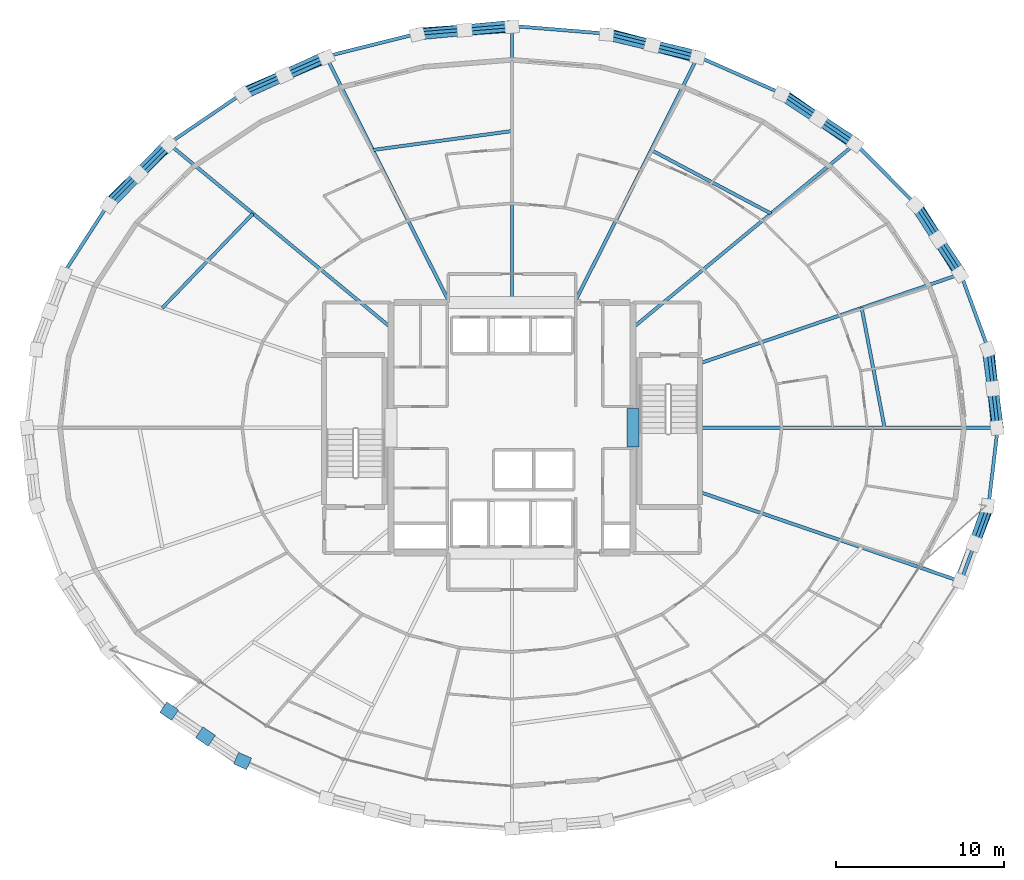
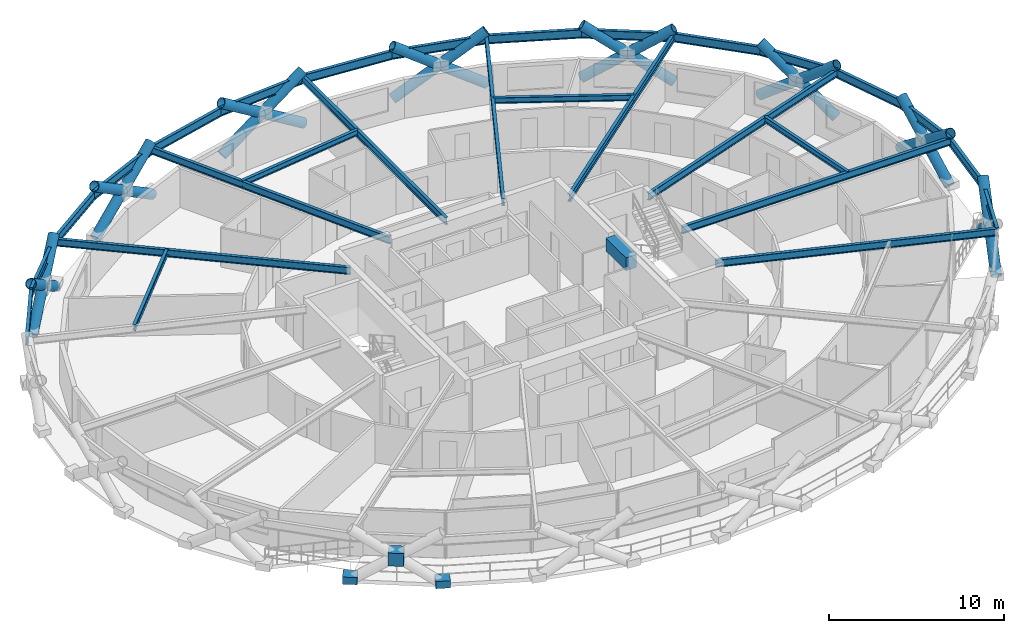
# One storey, part 13 of 21: 29 beams, 23 members, 3 plates.
"""IFC4 building model written with IfcOpenShell, lengths in metres."""

from ifc_helpers import new_model, si_unit, direction, frame, origin, origin_2d, place, context, subcontext, project, spatial, rectangle, hollow_circle, i_section, extrude, material, layer, layer_set, material_profile, profile_set, type_object, element, save


model = new_model("IFC4")

# Units and contexts
model_context = context("Model", 3, precision=1e-05, world=origin(), true_north=direction((0.0, 1.0)))
body_context = subcontext(model_context, "Body", "Model", "MODEL_VIEW")
ifc_project = project(units=[si_unit("LENGTHUNIT", "METRE"), si_unit("AREAUNIT", "SQUARE_METRE"), si_unit("VOLUMEUNIT", "CUBIC_METRE"), si_unit("PLANEANGLEUNIT", "RADIAN"), si_unit("MASSUNIT", "GRAM", prefix="KILO")], contexts=[model_context])

# Site, building, storey
site_placement = place(None, origin())
site = spatial("IfcSite", under=ifc_project, at=site_placement, CompositionType="ELEMENT")
building_placement = place(site_placement, origin())
building = spatial("IfcBuilding", under=site, at=building_placement, Name="Veldorina Hangang Commons", CompositionType="ELEMENT")
storey_placement = place(building_placement, frame((0.0, 0.0, 66.39990234375)))
storey = spatial("IfcBuildingStorey", under=building, at=storey_placement, Name="L16", CompositionType="ELEMENT", Elevation=66.39990234375)

# Beams
ifc_material_1 = material(Name="Concrete C70/85", Category="concrete")
ifc_material_profile_1 = material_profile(ifc_material_1, rectangle(XDim=0.699951171875, YDim=0.89990234375, at=origin_2d()), Name="RC-CB-700x900")
ifc_profile_set_1 = profile_set([ifc_material_profile_1], Name="Concrete C70/85")
beam_type_1 = type_object("IfcBeamType", Name="BM-CB900", PredefinedType="LINTEL", material=ifc_profile_set_1)
beam_1_placement = place(storey_placement, frame((39.199951171875, 22.85009765625, 2.89013671875), z_axis=(0.0, 1.0, 0.0), x_axis=(-1.0, 0.0, 0.0)))
element("IfcBeam", 1, at=beam_1_placement, inside=storey, type_object=beam_type_1, Name="L16 E core coupling lintel beam", PredefinedType="LINTEL", context=body_context, shape_type="SweptSolid", body=[
    extrude(rectangle(XDim=0.699951171875, YDim=0.89990234375, at=origin_2d()), origin(), (0.0, 0.0, 1.0), 2.2998046875),
])
ifc_material_2 = material(Name="Steel SM420-TMC", Category="steel")
ifc_material_profile_2 = material_profile(ifc_material_2, i_section(OverallWidth=0.199951171875, OverallDepth=0.5, WebThickness=0.010009765625, FlangeThickness=0.01611328125, FilletRadius=0.01611328125, at=origin_2d()), Name="H-500x200x10x16")
ifc_profile_set_2 = profile_set([ifc_material_profile_2], Name="Steel SM420-TMC")
beam_type_2 = type_object("IfcBeamType", Name="BM-FG500", PredefinedType="BEAM", material=ifc_profile_set_2)
beam_2_placement = place(storey_placement, frame((43.179931640625, 24.0, 3.090087890625), z_axis=(1.0, 0.0, 0.0), x_axis=(0.0, 1.0, 0.0)))
element("IfcBeam", 2, at=beam_2_placement, inside=storey, type_object=beam_type_2, Name="L16 radial floor girder 01", PredefinedType="BEAM", context=body_context, shape_type="SweptSolid", body=[
    extrude(i_section(OverallWidth=0.199951171875, OverallDepth=0.5, WebThickness=0.010009765625, FlangeThickness=0.01611328125, FilletRadius=0.01611328125, at=origin_2d()), origin(), (0.0, 0.0, 1.0), 17.725830078125),
])
beam_3_placement = place(storey_placement, frame((43.179931640625, 27.829833984375, 3.090087890625), z_axis=(0.946029500079, 0.324080522372, 0.0), x_axis=(-0.324080522372, 0.946029500079, 0.0)))
element("IfcBeam", 3, at=beam_3_placement, inside=storey, type_object=beam_type_2, Name="L16 radial floor girder 02", PredefinedType="BEAM", context=body_context, shape_type="SweptSolid", body=[
    extrude(i_section(OverallWidth=0.199951171875, OverallDepth=0.5, WebThickness=0.010009765625, FlangeThickness=0.01611328125, FilletRadius=0.01611328125, at=origin_2d()), origin(), (0.0, 0.0, 1.0), 16.411376953125),
])
beam_4_placement = place(storey_placement, frame((39.199951171875, 29.95458984375, 3.090087890625), z_axis=(0.770611853729, 0.637304770806, 0.0), x_axis=(-0.637304770806, 0.770611853729, 0.0)))
element("IfcBeam", 4, at=beam_4_placement, inside=storey, type_object=beam_type_2, Name="L16 radial floor girder 03", PredefinedType="BEAM", context=body_context, shape_type="SweptSolid", body=[
    extrude(i_section(OverallWidth=0.199951171875, OverallDepth=0.5, WebThickness=0.010009765625, FlangeThickness=0.01611328125, FilletRadius=0.01611328125, at=origin_2d()), origin(), (0.0, 0.0, 1.0), 17.180419921875),
])
beam_5_placement = place(storey_placement, frame((35.731201171875, 31.449951171875, 3.090087890625), z_axis=(0.44782200255, 0.89412272873, 0.0), x_axis=(-0.89412272873, 0.44782200255, 0.0)))
element("IfcBeam", 5, at=beam_5_placement, inside=storey, type_object=beam_type_2, Name="L16 radial floor girder 04", PredefinedType="BEAM", context=body_context, shape_type="SweptSolid", body=[
    extrude(i_section(OverallWidth=0.199951171875, OverallDepth=0.5, WebThickness=0.010009765625, FlangeThickness=0.01611328125, FilletRadius=0.01611328125, at=origin_2d()), origin(), (0.0, 0.0, 1.0), 16.369384765625),
])
beam_6_placement = place(storey_placement, frame((32.0, 31.449951171875, 3.090087890625), z_axis=(0.0, 1.0, 0.0), x_axis=(-1.0, 0.0, 0.0)))
element("IfcBeam", 6, at=beam_6_placement, inside=storey, type_object=beam_type_2, Name="L16 radial floor girder 05", PredefinedType="BEAM", context=body_context, shape_type="SweptSolid", body=[
    extrude(i_section(OverallWidth=0.199951171875, OverallDepth=0.5, WebThickness=0.010009765625, FlangeThickness=0.01611328125, FilletRadius=0.01611328125, at=origin_2d()), origin(), (0.0, 0.0, 1.0), 16.455810546875),
])
beam_7_placement = place(storey_placement, frame((28.268798828125, 31.449951171875, 3.090087890625), z_axis=(-0.44782200255, 0.89412272873, 0.0), x_axis=(-0.89412272873, -0.44782200255, 0.0)))
element("IfcBeam", 7, at=beam_7_placement, inside=storey, type_object=beam_type_2, Name="L16 radial floor girder 06", PredefinedType="BEAM", context=body_context, shape_type="SweptSolid", body=[
    extrude(i_section(OverallWidth=0.199951171875, OverallDepth=0.5, WebThickness=0.010009765625, FlangeThickness=0.01611328125, FilletRadius=0.01611328125, at=origin_2d()), origin(), (0.0, 0.0, 1.0), 16.369384765625),
])
beam_8_placement = place(storey_placement, frame((24.800048828125, 29.95458984375, 3.090087890625), z_axis=(-0.770611853729, 0.637304770806, 0.0), x_axis=(-0.637304770806, -0.770611853729, 0.0)))
element("IfcBeam", 8, at=beam_8_placement, inside=storey, type_object=beam_type_2, Name="L16 radial floor girder 07", PredefinedType="BEAM", context=body_context, shape_type="SweptSolid", body=[
    extrude(i_section(OverallWidth=0.199951171875, OverallDepth=0.5, WebThickness=0.010009765625, FlangeThickness=0.01611328125, FilletRadius=0.01611328125, at=origin_2d()), origin(), (0.0, 0.0, 1.0), 17.180419921875),
])
beam_9_placement = place(storey_placement, frame((43.179931640625, 20.170166015625, 3.090087890625), z_axis=(0.946029500079, -0.324080522372, 0.0), x_axis=(0.324080522372, 0.946029500079, 0.0)))
element("IfcBeam", 9, at=beam_9_placement, inside=storey, type_object=beam_type_2, Name="L16 radial floor girder 16", PredefinedType="BEAM", context=body_context, shape_type="SweptSolid", body=[
    extrude(i_section(OverallWidth=0.199951171875, OverallDepth=0.5, WebThickness=0.010009765625, FlangeThickness=0.01611328125, FilletRadius=0.01611328125, at=origin_2d()), origin(), (0.0, 0.0, 1.0), 16.411376953125),
])
ifc_material_3 = material(Name="Steel SM355-TMC", Category="steel")
ifc_material_profile_3 = material_profile(ifc_material_3, i_section(OverallWidth=0.199951171875, OverallDepth=0.39990234375, WebThickness=0.008056640625, FlangeThickness=0.012939453125, FilletRadius=0.012939453125, at=origin_2d()), Name="H-400x200x8x13")
ifc_profile_set_3 = profile_set([ifc_material_profile_3], Name="Steel SM355-TMC")
beam_type_3 = type_object("IfcBeamType", Name="BM-JST400", PredefinedType="JOIST", material=ifc_profile_set_3)
beam_10_placement = place(storey_placement, frame((54.169921875, 24.0, 3.14013671875), z_axis=(-0.187963862545, 0.982175944715, 0.0), x_axis=(-0.982175944715, -0.187963862545, 0.0)))
element("IfcBeam", 10, at=beam_10_placement, inside=storey, type_object=beam_type_3, Name="L16 secondary floor joist 01", PredefinedType="JOIST", context=body_context, shape_type="SweptSolid", body=[
    extrude(i_section(OverallWidth=0.199951171875, OverallDepth=0.39990234375, WebThickness=0.008056640625, FlangeThickness=0.012939453125, FilletRadius=0.012939453125, at=origin_2d()), origin(), (0.0, 0.0, 1.0), 7.2568359375),
])
beam_11_placement = place(storey_placement, frame((47.408447265625, 36.7431640625, 3.14013671875), z_axis=(-0.883515580858, 0.468401770258, 0.0), x_axis=(-0.468401770258, -0.883515580858, 0.0)))
element("IfcBeam", 11, at=beam_11_placement, inside=storey, type_object=beam_type_3, Name="L16 secondary floor joist 03", PredefinedType="JOIST", context=body_context, shape_type="SweptSolid", body=[
    extrude(i_section(OverallWidth=0.199951171875, OverallDepth=0.39990234375, WebThickness=0.008056640625, FlangeThickness=0.012939453125, FilletRadius=0.012939453125, at=origin_2d()), origin(), (0.0, 0.0, 1.0), 8.07275390625),
])
beam_12_placement = place(storey_placement, frame((32.0, 41.652587890625, 3.14013671875), z_axis=(-0.990836392252, -0.135067552689, 0.0), x_axis=(0.135067552689, -0.990836392252, 0.0)))
element("IfcBeam", 12, at=beam_12_placement, inside=storey, type_object=beam_type_3, Name="L16 secondary floor joist 05", PredefinedType="JOIST", context=body_context, shape_type="SweptSolid", body=[
    extrude(i_section(OverallWidth=0.199951171875, OverallDepth=0.39990234375, WebThickness=0.008056640625, FlangeThickness=0.012939453125, FilletRadius=0.012939453125, at=origin_2d()), origin(), (0.0, 0.0, 1.0), 8.352783203125),
])
beam_13_placement = place(storey_placement, frame((16.591552734375, 36.7431640625, 3.14013671875), z_axis=(-0.692957111706, -0.720978807828, 0.0), x_axis=(0.720978807828, -0.692957111706, 0.0)))
element("IfcBeam", 13, at=beam_13_placement, inside=storey, type_object=beam_type_3, Name="L16 secondary floor joist 07", PredefinedType="JOIST", context=body_context, shape_type="SweptSolid", body=[
    extrude(i_section(OverallWidth=0.199951171875, OverallDepth=0.39990234375, WebThickness=0.008056640625, FlangeThickness=0.012939453125, FilletRadius=0.012939453125, at=origin_2d()), origin(), (0.0, 0.0, 1.0), 7.7890625),
])
ifc_material_profile_4 = material_profile(ifc_material_2, i_section(OverallWidth=0.199951171875, OverallDepth=0.60009765625, WebThickness=0.010986328125, FlangeThickness=0.01708984375, FilletRadius=0.01806640625, at=origin_2d()), Name="H-600x200x11x17")
ifc_profile_set_4 = profile_set([ifc_material_profile_4], Name="Steel SM420-TMC")
beam_type_4 = type_object("IfcBeamType", Name="BM-RB600", PredefinedType="BEAM", material=ifc_profile_set_4)
beam_14_placement = place(storey_placement, frame((60.90576171875, 24.0, 3.0400390625), z_axis=(-0.118255601421, 0.992983188545, 0.0), x_axis=(-0.992983188545, -0.118255601421, 0.0)))
element("IfcBeam", 14, at=beam_14_placement, inside=storey, type_object=beam_type_4, Name="L16 perimeter hoop ring beam 00", PredefinedType="BEAM", context=body_context, shape_type="SweptSolid", body=[
    extrude(i_section(OverallWidth=0.199951171875, OverallDepth=0.60009765625, WebThickness=0.010986328125, FlangeThickness=0.01708984375, FilletRadius=0.01806640625, at=origin_2d()), origin(), (0.0, 0.0, 1.0), 4.69677734375),
])
beam_15_placement = place(storey_placement, frame((60.350341796875, 28.663818359375, 3.0400390625), z_axis=(-0.34433123863, 0.938848229536, 0.0), x_axis=(-0.938848229536, -0.34433123863, 0.0)))
element("IfcBeam", 15, at=beam_15_placement, inside=storey, type_object=beam_type_4, Name="L16 perimeter hoop ring beam 01", PredefinedType="BEAM", context=body_context, shape_type="SweptSolid", body=[
    extrude(i_section(OverallWidth=0.199951171875, OverallDepth=0.60009765625, WebThickness=0.010986328125, FlangeThickness=0.01708984375, FilletRadius=0.01806640625, at=origin_2d()), origin(), (0.0, 0.0, 1.0), 4.776611328125),
])
beam_16_placement = place(storey_placement, frame((58.70556640625, 33.1484375, 3.0400390625), z_axis=(-0.542852144434, 0.839828285594, 0.0), x_axis=(-0.839828285594, -0.542852144434, 0.0)))
element("IfcBeam", 16, at=beam_16_placement, inside=storey, type_object=beam_type_4, Name="L16 perimeter hoop ring beam 02", PredefinedType="BEAM", context=body_context, shape_type="SweptSolid", body=[
    extrude(i_section(OverallWidth=0.199951171875, OverallDepth=0.60009765625, WebThickness=0.010986328125, FlangeThickness=0.01708984375, FilletRadius=0.01806640625, at=origin_2d()), origin(), (0.0, 0.0, 1.0), 4.921142578125),
])
beam_17_placement = place(storey_placement, frame((56.0341796875, 37.28125, 3.0400390625), z_axis=(-0.704374726504, 0.709828320556, 0.0), x_axis=(-0.709828320556, -0.704374726504, 0.0)))
element("IfcBeam", 17, at=beam_17_placement, inside=storey, type_object=beam_type_4, Name="L16 perimeter hoop ring beam 03", PredefinedType="BEAM", context=body_context, shape_type="SweptSolid", body=[
    extrude(i_section(OverallWidth=0.199951171875, OverallDepth=0.60009765625, WebThickness=0.010986328125, FlangeThickness=0.01708984375, FilletRadius=0.01806640625, at=origin_2d()), origin(), (0.0, 0.0, 1.0), 5.103515625),
])
beam_18_placement = place(storey_placement, frame((52.439453125, 40.90380859375, 3.0400390625), z_axis=(-0.827409958016, 0.561598398658, 0.0), x_axis=(-0.561598398658, -0.827409958016, 0.0)))
element("IfcBeam", 18, at=beam_18_placement, inside=storey, type_object=beam_type_4, Name="L16 perimeter hoop ring beam 04", PredefinedType="BEAM", context=body_context, shape_type="SweptSolid", body=[
    extrude(i_section(OverallWidth=0.199951171875, OverallDepth=0.60009765625, WebThickness=0.010986328125, FlangeThickness=0.01708984375, FilletRadius=0.01806640625, at=origin_2d()), origin(), (0.0, 0.0, 1.0), 5.294189453125),
])
beam_19_placement = place(storey_placement, frame((48.05908203125, 43.876953125, 3.0400390625), z_axis=(-0.914611294749, 0.404334242327, 0.0), x_axis=(-0.404334242327, -0.914611294749, 0.0)))
element("IfcBeam", 19, at=beam_19_placement, inside=storey, type_object=beam_type_4, Name="L16 perimeter hoop ring beam 05", PredefinedType="BEAM", context=body_context, shape_type="SweptSolid", body=[
    extrude(i_section(OverallWidth=0.199951171875, OverallDepth=0.60009765625, WebThickness=0.010986328125, FlangeThickness=0.01708984375, FilletRadius=0.01806640625, at=origin_2d()), origin(), (0.0, 0.0, 1.0), 5.4638671875),
])
beam_20_placement = place(storey_placement, frame((43.061767578125, 46.086181640625, 3.0400390625), z_axis=(-0.969944380148, 0.243326733879, 0.0), x_axis=(-0.243326733879, -0.969944380148, 0.0)))
element("IfcBeam", 20, at=beam_20_placement, inside=storey, type_object=beam_type_4, Name="L16 perimeter hoop ring beam 06", PredefinedType="BEAM", context=body_context, shape_type="SweptSolid", body=[
    extrude(i_section(OverallWidth=0.199951171875, OverallDepth=0.60009765625, WebThickness=0.010986328125, FlangeThickness=0.01708984375, FilletRadius=0.01806640625, at=origin_2d()), origin(), (0.0, 0.0, 1.0), 5.590576171875),
])
for number, where, z_axis, x_axis, name in (
    (21, (37.63916015625, 47.446533203125, 3.0400390625), (-0.996700521697, 0.081166927063, 0.0), (-0.081166927063, -0.996700521697, 0.0), "L16 perimeter hoop ring beam 07"),
    (22, (32.0, 47.90576171875, 3.0400390625), (-0.996700521697, -0.081166927063, 0.0), (0.081166927063, -0.996700521697, 0.0), "L16 perimeter hoop ring beam 08"),
):
    element("IfcBeam", number, at=place(storey_placement, frame(where, z_axis=z_axis, x_axis=x_axis)), inside=storey, type_object=beam_type_4, Name=name, PredefinedType="BEAM", context=body_context, shape_type="SweptSolid", body=[
        extrude(i_section(OverallWidth=0.199951171875, OverallDepth=0.60009765625, WebThickness=0.010986328125, FlangeThickness=0.01708984375, FilletRadius=0.01806640625, at=origin_2d()), origin(), (0.0, 0.0, 1.0), 5.65771484375),
    ])
beam_21_placement = place(storey_placement, frame((26.36083984375, 47.446533203125, 3.0400390625), z_axis=(-0.969944380148, -0.243326733879, 0.0), x_axis=(0.243326733879, -0.969944380148, 0.0)))
element("IfcBeam", 23, at=beam_21_placement, inside=storey, type_object=beam_type_4, Name="L16 perimeter hoop ring beam 09", PredefinedType="BEAM", context=body_context, shape_type="SweptSolid", body=[
    extrude(i_section(OverallWidth=0.199951171875, OverallDepth=0.60009765625, WebThickness=0.010986328125, FlangeThickness=0.01708984375, FilletRadius=0.01806640625, at=origin_2d()), origin(), (0.0, 0.0, 1.0), 5.590576171875),
])
beam_22_placement = place(storey_placement, frame((20.938232421875, 46.086181640625, 3.0400390625), z_axis=(-0.914611294749, -0.404334242327, 0.0), x_axis=(0.404334242327, -0.914611294749, 0.0)))
element("IfcBeam", 24, at=beam_22_placement, inside=storey, type_object=beam_type_4, Name="L16 perimeter hoop ring beam 10", PredefinedType="BEAM", context=body_context, shape_type="SweptSolid", body=[
    extrude(i_section(OverallWidth=0.199951171875, OverallDepth=0.60009765625, WebThickness=0.010986328125, FlangeThickness=0.01708984375, FilletRadius=0.01806640625, at=origin_2d()), origin(), (0.0, 0.0, 1.0), 5.4638671875),
])
beam_23_placement = place(storey_placement, frame((15.94091796875, 43.876953125, 3.0400390625), z_axis=(-0.827409958016, -0.561598398658, 0.0), x_axis=(0.561598398658, -0.827409958016, 0.0)))
element("IfcBeam", 25, at=beam_23_placement, inside=storey, type_object=beam_type_4, Name="L16 perimeter hoop ring beam 11", PredefinedType="BEAM", context=body_context, shape_type="SweptSolid", body=[
    extrude(i_section(OverallWidth=0.199951171875, OverallDepth=0.60009765625, WebThickness=0.010986328125, FlangeThickness=0.01708984375, FilletRadius=0.01806640625, at=origin_2d()), origin(), (0.0, 0.0, 1.0), 5.294189453125),
])
beam_24_placement = place(storey_placement, frame((11.560546875, 40.90380859375, 3.0400390625), z_axis=(-0.704374726504, -0.709828320556, 0.0), x_axis=(0.709828320556, -0.704374726504, 0.0)))
element("IfcBeam", 26, at=beam_24_placement, inside=storey, type_object=beam_type_4, Name="L16 perimeter hoop ring beam 12", PredefinedType="BEAM", context=body_context, shape_type="SweptSolid", body=[
    extrude(i_section(OverallWidth=0.199951171875, OverallDepth=0.60009765625, WebThickness=0.010986328125, FlangeThickness=0.01708984375, FilletRadius=0.01806640625, at=origin_2d()), origin(), (0.0, 0.0, 1.0), 5.103515625),
])
beam_25_placement = place(storey_placement, frame((7.9658203125, 37.28125, 3.0400390625), z_axis=(-0.542852144434, -0.839828285594, 0.0), x_axis=(0.839828285594, -0.542852144434, 0.0)))
element("IfcBeam", 27, at=beam_25_placement, inside=storey, type_object=beam_type_4, Name="L16 perimeter hoop ring beam 13", PredefinedType="BEAM", context=body_context, shape_type="SweptSolid", body=[
    extrude(i_section(OverallWidth=0.199951171875, OverallDepth=0.60009765625, WebThickness=0.010986328125, FlangeThickness=0.01708984375, FilletRadius=0.01806640625, at=origin_2d()), origin(), (0.0, 0.0, 1.0), 4.921142578125),
])
beam_26_placement = place(storey_placement, frame((58.70556640625, 14.8515625, 3.0400390625), z_axis=(0.34433123863, 0.938848229536, 0.0), x_axis=(-0.938848229536, 0.34433123863, 0.0)))
element("IfcBeam", 28, at=beam_26_placement, inside=storey, type_object=beam_type_4, Name="L16 perimeter hoop ring beam 30", PredefinedType="BEAM", context=body_context, shape_type="SweptSolid", body=[
    extrude(i_section(OverallWidth=0.199951171875, OverallDepth=0.60009765625, WebThickness=0.010986328125, FlangeThickness=0.01708984375, FilletRadius=0.01806640625, at=origin_2d()), origin(), (0.0, 0.0, 1.0), 4.776611328125),
])
beam_27_placement = place(storey_placement, frame((60.350341796875, 19.336181640625, 3.0400390625), z_axis=(0.118255601421, 0.992983188545, 0.0), x_axis=(-0.992983188545, 0.118255601421, 0.0)))
element("IfcBeam", 29, at=beam_27_placement, inside=storey, type_object=beam_type_4, Name="L16 perimeter hoop ring beam 31", PredefinedType="BEAM", context=body_context, shape_type="SweptSolid", body=[
    extrude(i_section(OverallWidth=0.199951171875, OverallDepth=0.60009765625, WebThickness=0.010986328125, FlangeThickness=0.01708984375, FilletRadius=0.01806640625, at=origin_2d()), origin(), (0.0, 0.0, 1.0), 4.69677734375),
])

# Members
ifc_material_4 = material(Name="Steel SM460-TMC", Category="steel")
ifc_material_profile_5 = material_profile(ifc_material_4, hollow_circle(Radius=0.324951171875, WallThickness=0.031982421875, at=origin_2d()), Name="CHS-650x32")
ifc_profile_set_5 = profile_set([ifc_material_profile_5], Name="Steel SM460-TMC")
member_type = type_object("IfcMemberType", Name="DG-CHS650", PredefinedType="BRACE", material=ifc_profile_set_5)
member_1_placement = place(storey_placement, frame((60.8515625, 24.0, 0.0), z_axis=(-0.083104728622, 0.788978871681, 0.60877413227), x_axis=(-0.994498322122, -0.104752504967, 0.0)))
element("IfcMember", 30, at=member_1_placement, inside=storey, type_object=member_type, Name="L16 continuous perimeter diagrid brace 00", PredefinedType="BRACE", context=body_context, shape_type="SweptSolid", body=[
    extrude(hollow_circle(Radius=0.324951171875, WallThickness=0.031982421875, at=origin_2d()), origin(), (0.0, 0.0, 1.0), 5.91357421875),
])
member_2_placement = place(storey_placement, frame((60.297119140625, 28.6533203125, 0.0), z_axis=(0.104628510442, -0.786614662234, 0.608514788614), x_axis=(0.991269691665, 0.131849908557, 0.0)))
element("IfcMember", 31, at=member_2_placement, inside=storey, type_object=member_type, Name="L16 split perimeter diagrid lower brace 01", PredefinedType="BRACE", context=body_context, shape_type="SweptSolid", body=[
    extrude(hollow_circle(Radius=0.324951171875, WallThickness=0.031982421875, at=origin_2d()), origin(), (0.0, 0.0, 1.0), 2.9541015625),
])
member_3_placement = place(storey_placement, frame((60.606201171875, 26.32958984375, 1.797607421875), z_axis=(0.104523778733, -0.786566164569, 0.608595471915), x_axis=(0.991285872626, 0.131728200219, 0.0)))
element("IfcMember", 32, at=member_3_placement, inside=storey, type_object=member_type, Name="L16 split perimeter diagrid upper brace 01", PredefinedType="BRACE", context=body_context, shape_type="SweptSolid", body=[
    extrude(hollow_circle(Radius=0.324951171875, WallThickness=0.031982421875, at=origin_2d()), origin(), (0.0, 0.0, 1.0), 2.961669921875),
])
member_4_placement = place(storey_placement, frame((58.6552734375, 33.127685546875, 0.0), z_axis=(-0.42904123124, 0.682970137862, 0.591164454855), x_axis=(-0.846778567278, -0.531945540444, 0.0)))
element("IfcMember", 33, at=member_4_placement, inside=storey, type_object=member_type, Name="L16 continuous perimeter diagrid brace 02", PredefinedType="BRACE", context=body_context, shape_type="SweptSolid", body=[
    extrude(hollow_circle(Radius=0.324951171875, WallThickness=0.031982421875, at=origin_2d()), origin(), (0.0, 0.0, 1.0), 6.08984375),
])
member_5_placement = place(storey_placement, frame((55.989013671875, 37.251220703125, 0.0), z_axis=(0.447082134748, -0.672026095677, 0.590337608084), x_axis=(0.832584698095, 0.553897752747, 0.0)))
element("IfcMember", 34, at=member_5_placement, inside=storey, type_object=member_type, Name="L16 split perimeter diagrid lower brace 03", PredefinedType="BRACE", context=body_context, shape_type="SweptSolid", body=[
    extrude(hollow_circle(Radius=0.324951171875, WallThickness=0.031982421875, at=origin_2d()), origin(), (0.0, 0.0, 1.0), 3.04541015625),
])
member_6_placement = place(storey_placement, frame((57.3505859375, 35.20458984375, 1.7978515625), z_axis=(0.446765407063, -0.67226718761, 0.590302887943), x_axis=(0.832857190067, 0.553487941109, 0.0)))
element("IfcMember", 35, at=member_6_placement, inside=storey, type_object=member_type, Name="L16 split perimeter diagrid upper brace 03", PredefinedType="BRACE", context=body_context, shape_type="SweptSolid", body=[
    extrude(hollow_circle(Radius=0.324951171875, WallThickness=0.031982421875, at=origin_2d()), origin(), (0.0, 0.0, 1.0), 3.052978515625),
])
member_7_placement = place(storey_placement, frame((52.401123046875, 40.865478515625, 0.0), z_axis=(-0.67819322684, 0.472276321517, 0.563035543463), x_axis=(-0.571463752798, -0.820627308367, 0.0)))
element("IfcMember", 36, at=member_7_placement, inside=storey, type_object=member_type, Name="L16 continuous perimeter diagrid brace 04", PredefinedType="BRACE", context=body_context, shape_type="SweptSolid", body=[
    extrude(hollow_circle(Radius=0.324951171875, WallThickness=0.031982421875, at=origin_2d()), origin(), (0.0, 0.0, 1.0), 6.39404296875),
])
member_8_placement = place(storey_placement, frame((48.029052734375, 43.831787109375, 0.0), z_axis=(0.689956928479, -0.45589984254, 0.562240847339), x_axis=(0.551287099986, 0.834315607782, 0.0)))
element("IfcMember", 37, at=member_8_placement, inside=storey, type_object=member_type, Name="L16 split perimeter diagrid lower brace 05", PredefinedType="BRACE", context=body_context, shape_type="SweptSolid", body=[
    extrude(hollow_circle(Radius=0.324951171875, WallThickness=0.031982421875, at=origin_2d()), origin(), (0.0, 0.0, 1.0), 3.197998046875),
])
member_9_placement = place(storey_placement, frame((50.235595703125, 42.373779296875, 1.798095703125), z_axis=(0.689723281607, -0.456362842689, 0.562151892838), x_axis=(0.551806622958, 0.833972092375, 0.0)))
element("IfcMember", 38, at=member_9_placement, inside=storey, type_object=member_type, Name="L16 split perimeter diagrid upper brace 05", PredefinedType="BRACE", context=body_context, shape_type="SweptSolid", body=[
    extrude(hollow_circle(Radius=0.324951171875, WallThickness=0.031982421875, at=origin_2d()), origin(), (0.0, 0.0, 1.0), 3.20556640625),
])
member_10_placement = place(storey_placement, frame((43.041015625, 46.035888671875, 0.0), z_axis=(-0.812799541868, 0.213801778397, 0.541890860131), x_axis=(-0.254389989856, -0.967101718053, 0.0)))
element("IfcMember", 39, at=member_10_placement, inside=storey, type_object=member_type, Name="L16 continuous perimeter diagrid brace 06", PredefinedType="BRACE", context=body_context, shape_type="SweptSolid", body=[
    extrude(hollow_circle(Radius=0.324951171875, WallThickness=0.031982421875, at=origin_2d()), origin(), (0.0, 0.0, 1.0), 6.6435546875),
])
member_11_placement = place(storey_placement, frame((37.628662109375, 47.393310546875, 0.0), z_axis=(0.817737031462, -0.195133436567, 0.541506315115), x_axis=(0.232109202766, 0.972689733672, 0.0)))
element("IfcMember", 40, at=member_11_placement, inside=storey, type_object=member_type, Name="L16 split perimeter diagrid lower brace 07", PredefinedType="BRACE", context=body_context, shape_type="SweptSolid", body=[
    extrude(hollow_circle(Radius=0.324951171875, WallThickness=0.031982421875, at=origin_2d()), origin(), (0.0, 0.0, 1.0), 3.320556640625),
])
member_12_placement = place(storey_placement, frame((40.343994140625, 46.745361328125, 1.798095703125), z_axis=(0.817743825056, -0.195340133309, 0.54142152608), x_axis=(0.232339974623, 0.972634636537, 0.0)))
element("IfcMember", 41, at=member_12_placement, inside=storey, type_object=member_type, Name="L16 split perimeter diagrid upper brace 07", PredefinedType="BRACE", context=body_context, shape_type="SweptSolid", body=[
    extrude(hollow_circle(Radius=0.324951171875, WallThickness=0.031982421875, at=origin_2d()), origin(), (0.0, 0.0, 1.0), 3.328369140625),
])
member_13_placement = place(storey_placement, frame((32.0, 47.8515625, 0.0), z_axis=(-0.841497165146, -0.058962343563, 0.537034415184), x_axis=(0.069897008186, -0.997554213187, 0.0)))
element("IfcMember", 42, at=member_13_placement, inside=storey, type_object=member_type, Name="L16 continuous perimeter diagrid brace 08", PredefinedType="BRACE", context=body_context, shape_type="SweptSolid", body=[
    extrude(hollow_circle(Radius=0.324951171875, WallThickness=0.031982421875, at=origin_2d()), origin(), (0.0, 0.0, 1.0), 6.70361328125),
])
member_14_placement = place(storey_placement, frame((26.371337890625, 47.393310546875, 0.0), z_axis=(0.839864431879, 0.077896240838, 0.537177728249), x_axis=(-0.092352218617, 0.995726402038, 0.0)))
element("IfcMember", 43, at=member_14_placement, inside=storey, type_object=member_type, Name="L16 split perimeter diagrid lower brace 09", PredefinedType="BRACE", context=body_context, shape_type="SweptSolid", body=[
    extrude(hollow_circle(Radius=0.324951171875, WallThickness=0.031982421875, at=origin_2d()), origin(), (0.0, 0.0, 1.0), 3.347412109375),
])
member_15_placement = place(storey_placement, frame((29.1826171875, 47.654052734375, 1.798095703125), z_axis=(0.83985609263, 0.078017827669, 0.537173121291), x_axis=(-0.092496047775, 0.99571305161, 0.0)))
element("IfcMember", 44, at=member_15_placement, inside=storey, type_object=member_type, Name="L16 split perimeter diagrid upper brace 09", PredefinedType="BRACE", context=body_context, shape_type="SweptSolid", body=[
    extrude(hollow_circle(Radius=0.324951171875, WallThickness=0.031982421875, at=origin_2d()), origin(), (0.0, 0.0, 1.0), 3.3544921875),
])
member_16_placement = place(storey_placement, frame((20.958984375, 46.035888671875, 0.0), z_axis=(-0.76768312104, -0.328644633, 0.55014119176), x_axis=(0.393552614315, -0.919302093855, 0.0)))
element("IfcMember", 45, at=member_16_placement, inside=storey, type_object=member_type, Name="L16 continuous perimeter diagrid brace 10", PredefinedType="BRACE", context=body_context, shape_type="SweptSolid", body=[
    extrude(hollow_circle(Radius=0.324951171875, WallThickness=0.031982421875, at=origin_2d()), origin(), (0.0, 0.0, 1.0), 6.5439453125),
])
member_17_placement = place(storey_placement, frame((15.970947265625, 43.831787109375, 0.0), z_axis=(0.759423922093, 0.346205764759, 0.550832892083), x_axis=(-0.414808665616, 0.909908660762, 0.0)))
element("IfcMember", 46, at=member_17_placement, inside=storey, type_object=member_type, Name="L16 split perimeter diagrid lower brace 11", PredefinedType="BRACE", context=body_context, shape_type="SweptSolid", body=[
    extrude(hollow_circle(Radius=0.324951171875, WallThickness=0.031982421875, at=origin_2d()), origin(), (0.0, 0.0, 1.0), 3.264404296875),
])
member_18_placement = place(storey_placement, frame((18.449951171875, 44.9619140625, 1.798095703125), z_axis=(0.759364288339, 0.346400258104, 0.55079282746), x_axis=(-0.415028550961, 0.909808387457, 0.0)))
element("IfcMember", 47, at=member_18_placement, inside=storey, type_object=member_type, Name="L16 split perimeter diagrid upper brace 11", PredefinedType="BRACE", context=body_context, shape_type="SweptSolid", body=[
    extrude(hollow_circle(Radius=0.324951171875, WallThickness=0.031982421875, at=origin_2d()), origin(), (0.0, 0.0, 1.0), 3.271728515625),
])
member_19_placement = place(storey_placement, frame((11.598876953125, 40.865478515625, 0.0), z_axis=(-0.582884648174, -0.572840977065, 0.57628005511), x_axis=(0.700935301449, -0.713224861585, 0.0)))
element("IfcMember", 48, at=member_19_placement, inside=storey, type_object=member_type, Name="L16 continuous perimeter diagrid brace 12", PredefinedType="BRACE", context=body_context, shape_type="SweptSolid", body=[
    extrude(hollow_circle(Radius=0.324951171875, WallThickness=0.031982421875, at=origin_2d()), origin(), (0.0, 0.0, 1.0), 6.2470703125),
])
member_20_placement = place(storey_placement, frame((8.010986328125, 37.251220703125, 0.0), z_axis=(0.568104191163, 0.586602064937, 0.577196366408), x_axis=(-0.718342146406, 0.69568998893, 0.0)))
element("IfcMember", 49, at=member_20_placement, inside=storey, type_object=member_type, Name="L16 split perimeter diagrid lower brace 13", PredefinedType="BRACE", context=body_context, shape_type="SweptSolid", body=[
    extrude(hollow_circle(Radius=0.324951171875, WallThickness=0.031982421875, at=origin_2d()), origin(), (0.0, 0.0, 1.0), 3.11474609375),
])
member_21_placement = place(storey_placement, frame((9.780517578125, 39.078369140625, 1.7978515625), z_axis=(0.567810757072, 0.586888948304, 0.577193474072), x_axis=(-0.718691659285, 0.695328914165, 0.0)))
element("IfcMember", 50, at=member_21_placement, inside=storey, type_object=member_type, Name="L16 split perimeter diagrid upper brace 13", PredefinedType="BRACE", context=body_context, shape_type="SweptSolid", body=[
    extrude(hollow_circle(Radius=0.324951171875, WallThickness=0.031982421875, at=origin_2d()), origin(), (0.0, 0.0, 1.0), 3.122314453125),
])
member_22_placement = place(storey_placement, frame((58.6552734375, 14.872314453125, 0.0), z_axis=(0.28502777292, 0.745978458813, 0.601893103176), x_axis=(-0.934135055612, 0.356919735902, 0.0)))
element("IfcMember", 51, at=member_22_placement, inside=storey, type_object=member_type, Name="L16 continuous perimeter diagrid brace 30", PredefinedType="BRACE", context=body_context, shape_type="SweptSolid", body=[
    extrude(hollow_circle(Radius=0.324951171875, WallThickness=0.031982421875, at=origin_2d()), origin(), (0.0, 0.0, 1.0), 5.981201171875),
])
member_23_placement = place(storey_placement, frame((60.297119140625, 19.3466796875, 0.0), z_axis=(-0.264950244099, -0.752874365644, 0.602479508123), x_axis=(0.943292773546, -0.331961960737, 0.0)))
element("IfcMember", 52, at=member_23_placement, inside=storey, type_object=member_type, Name="L16 split perimeter diagrid lower brace 31", PredefinedType="BRACE", context=body_context, shape_type="SweptSolid", body=[
    extrude(hollow_circle(Radius=0.324951171875, WallThickness=0.031982421875, at=origin_2d()), origin(), (0.0, 0.0, 1.0), 2.983642578125),
])

# Plates
ifc_layer = layer(ifc_material_4, 0.035888671875)
ifc_layer_set = layer_set([ifc_layer], Name="Steel SM460-TMC")
plate_type = type_object("IfcPlateType", Name="PL-STAR-36", PredefinedType="USERDEFINED", material=ifc_layer_set)
plate_1_placement = place(storey_placement, frame((11.598876953125, 7.134521484375, -0.08984375), z_axis=(0.0, 0.0, 1.0), x_axis=(0.827531577128, -0.561419173929, 0.0)))
element("IfcPlate", 53, at=plate_1_placement, inside=storey, type_object=plate_type, Name="L16 diagrid star-node gusset plate 20", ObjectType="GUSSET PLATE", PredefinedType="USERDEFINED", context=body_context, shape_type="SweptSolid", body=[
    extrude(rectangle(XDim=0.85009765625, YDim=0.75, at=origin_2d()), origin(), (0.0, 0.0, 1.0), 0.5),
])
plate_2_placement = place(storey_placement, frame((13.764404296875, 5.626220703125, 1.34814453125), z_axis=(0.0, 0.0, 1.0), x_axis=(0.827531577128, -0.561419173929, 0.0)))
element("IfcPlate", 54, at=plate_2_placement, inside=storey, type_object=plate_type, Name="L16 diagrid X-crossing star-node gusset plate 20", ObjectType="GUSSET PLATE", PredefinedType="USERDEFINED", context=body_context, shape_type="SweptSolid", body=[
    extrude(rectangle(XDim=0.89990234375, YDim=0.780029296875, at=origin_2d()), origin(), (0.0, 0.0, 1.0), 0.89990234375),
])
plate_3_placement = place(storey_placement, frame((15.970947265625, 4.168212890625, -0.08984375), z_axis=(0.0, 0.0, 1.0), x_axis=(0.914677717139, -0.404183960308, 0.0)))
element("IfcPlate", 55, at=plate_3_placement, inside=storey, type_object=plate_type, Name="L16 diagrid star-node gusset plate 21", ObjectType="GUSSET PLATE", PredefinedType="USERDEFINED", context=body_context, shape_type="SweptSolid", body=[
    extrude(rectangle(XDim=0.85009765625, YDim=0.75, at=origin_2d()), origin(), (0.0, 0.0, 1.0), 0.5),
])

save(model, "model.ifc")
